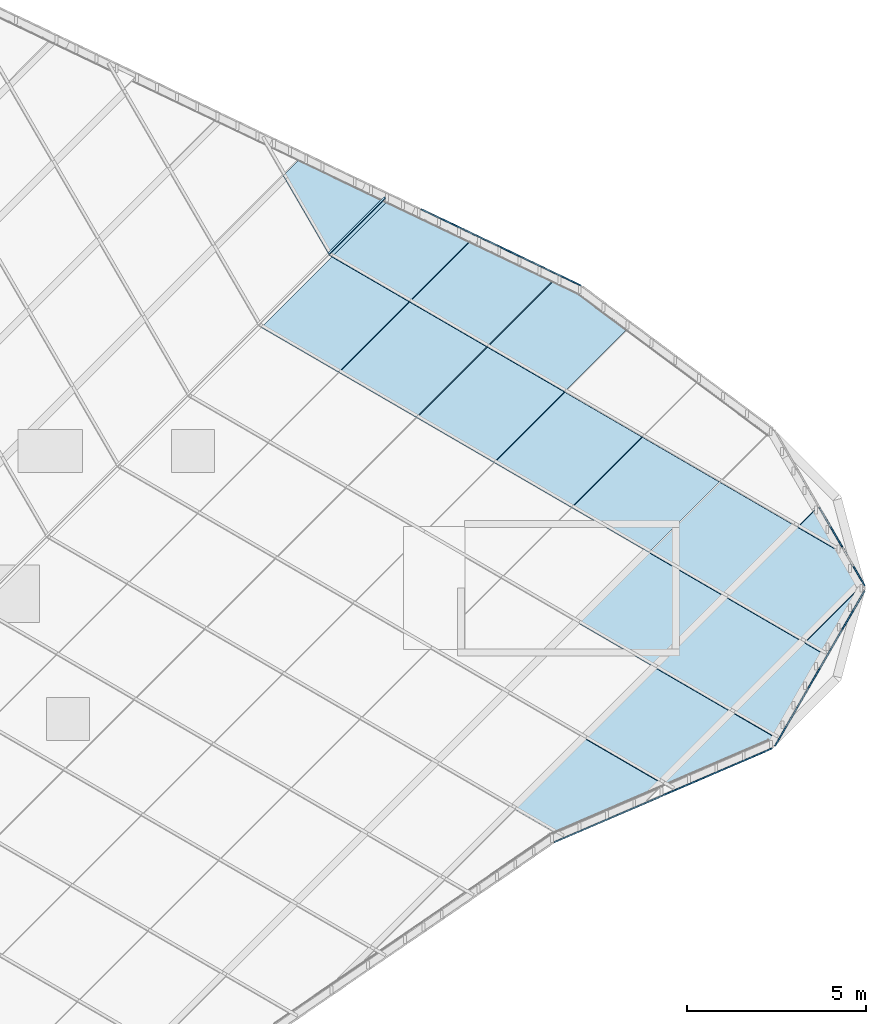
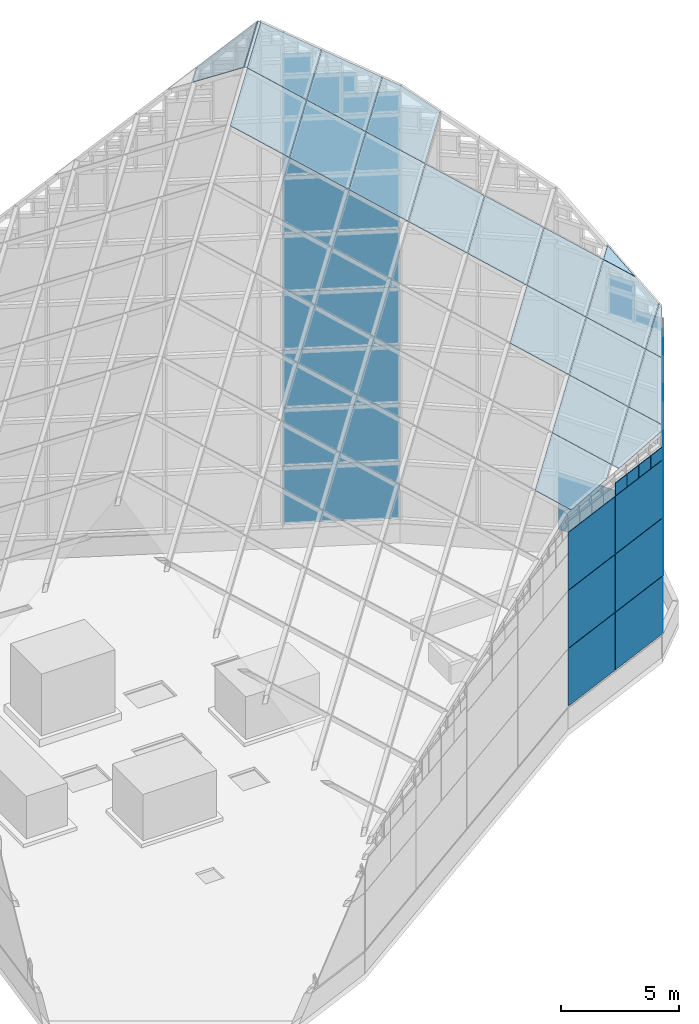
# One storey, part 19 of 29: 55 plates, 1 element without a shape of its own.
"""IFC4 building model written with IfcOpenShell, lengths in metres."""

from ifc_helpers import new_model, si_unit, direction, frame, origin, place, context, subcontext, project, spatial, polyline, outline, extrude, material, layer, layer_set, type_object, element, aggregate, save


model = new_model("IFC4")

# Units and contexts
model_context = context("Model", 3, precision=1e-05, world=origin(), true_north=direction((0.0, 1.0)))
body_context = subcontext(model_context, "Body", "Model", "MODEL_VIEW")
ifc_project = project(units=[si_unit("LENGTHUNIT", "METRE"), si_unit("AREAUNIT", "SQUARE_METRE"), si_unit("VOLUMEUNIT", "CUBIC_METRE"), si_unit("PLANEANGLEUNIT", "RADIAN"), si_unit("MASSUNIT", "GRAM", prefix="KILO")], contexts=[model_context])

# Site, building, storey
site_placement = place(None, origin())
site = spatial("IfcSite", under=ifc_project, at=site_placement, CompositionType="ELEMENT")
building_placement = place(site_placement, origin())
building = spatial("IfcBuilding", under=site, at=building_placement, Name="Tanit Gate Tower", CompositionType="ELEMENT")
storey_placement = place(building_placement, frame((0.0, 0.0, 445.300048828125)))
storey = spatial("IfcBuildingStorey", under=building, at=storey_placement, Name="ROOF", CompositionType="ELEMENT", Elevation=445.300048828125)

# Curtain wall, plates
ifc_material_1 = material(Name="Aluminium bronze anodised and glass", Category="aluminium")
curtain_wall_type = type_object("IfcCurtainWallType", Name="Curtain wall crown roof", PredefinedType="NOTDEFINED", material=ifc_material_1)
curtain_wall_placement = place(storey_placement, origin())
curtain_wall = element("IfcCurtainWall", 1, at=curtain_wall_placement, inside=storey, type_object=curtain_wall_type, Name="Crown lantern", PredefinedType="NOTDEFINED")
ifc_material_2 = material(Name="Glass tinted laminated safety", Category="glass")
ifc_layer = layer(ifc_material_2, 0.033935546875)
ifc_layer_set = layer_set([ifc_layer], Name="Glass panel 34 crown roof")
plate_type = type_object("IfcPlateType", Name="Glass panel 34 crown roof", PredefinedType="CURTAIN_PANEL", material=ifc_layer_set)
plate_1_placement = place(storey_placement, frame((16.35693359375, 8.480712890625, 1.21484375), z_axis=(0.431041064925, 0.902332311484, 0.0), x_axis=(-0.902332311484, 0.431041064925, 0.0)))
plate_1 = element("IfcPlate", 2, at=plate_1_placement, type_object=plate_type, Name="Lantern clerestory glass 3.1.1", PredefinedType="CURTAIN_PANEL", context=body_context, shape_type="SweptSolid", body=[
    extrude(outline(polyline([(0.0, 0.0), (4.961642982602361, 0.0), (4.961642982602361, 2.97021484375), (0.0, 2.97021484375), (0.0, 0.0)])), origin(), (0.0, 0.0, -1.0), 0.033935546875),
])
plate_2_placement = place(storey_placement, frame((16.35693359375, 8.480712890625, 4.21484375), z_axis=(0.431041064925, 0.902332311484, 0.0), x_axis=(-0.902332311484, 0.431041064925, 0.0)))
plate_2 = element("IfcPlate", 3, at=plate_2_placement, type_object=plate_type, Name="Lantern clerestory glass 3.2.1", PredefinedType="CURTAIN_PANEL", context=body_context, shape_type="SweptSolid", body=[
    extrude(outline(polyline([(0.0, 0.0), (4.961642982602361, 0.0), (4.961642982602361, 2.97021484375), (0.0, 2.97021484375), (0.0, 0.0)])), origin(), (0.0, 0.0, -1.0), 0.033935546875),
])
plate_3_placement = place(storey_placement, frame((16.35693359375, 8.480712890625, 7.21484375), z_axis=(0.431041064925, 0.902332311484, 0.0), x_axis=(-0.902332311484, 0.431041064925, 0.0)))
plate_3 = element("IfcPlate", 4, at=plate_3_placement, type_object=plate_type, Name="Lantern clerestory glass 3.3.1", PredefinedType="CURTAIN_PANEL", context=body_context, shape_type="SweptSolid", body=[
    extrude(outline(polyline([(0.0, 0.0), (4.961642982602361, 0.0), (4.961642982602361, 2.97021484375), (0.0, 2.97021484375), (0.0, 0.0)])), origin(), (0.0, 0.0, -1.0), 0.033935546875),
])
plate_4_placement = place(storey_placement, frame((16.35693359375, 8.480712890625, 10.21484375), z_axis=(0.431041064925, 0.902332311484, 0.0), x_axis=(-0.902332311484, 0.431041064925, 0.0)))
plate_4 = element("IfcPlate", 5, at=plate_4_placement, type_object=plate_type, Name="Lantern clerestory glass 3.4.1", PredefinedType="CURTAIN_PANEL", context=body_context, shape_type="SweptSolid", body=[
    extrude(outline(polyline([(0.0, 0.0), (4.961642982602361, 0.0), (4.961642982602361, 2.97021484375), (0.0, 2.97021484375), (0.0, 0.0)])), origin(), (0.0, 0.0, -1.0), 0.033935546875),
])
plate_5_placement = place(storey_placement, frame((16.35693359375, 8.480712890625, 13.21484375), z_axis=(0.431041064925, 0.902332311484, 0.0), x_axis=(-0.902332311484, 0.431041064925, 0.0)))
plate_5 = element("IfcPlate", 6, at=plate_5_placement, type_object=plate_type, Name="Lantern clerestory glass 3.5.1", PredefinedType="CURTAIN_PANEL", context=body_context, shape_type="SweptSolid", body=[
    extrude(outline(polyline([(0.0, 0.0), (4.961642982602361, 0.0), (4.961642982602361, 2.97021484375), (0.0, 2.97021484375), (0.0, 0.0)])), origin(), (0.0, 0.0, -1.0), 0.033935546875),
])
plate_6_placement = place(storey_placement, frame((16.35693359375, 8.480712890625, 16.21484375), z_axis=(0.431041064925, 0.902332311484, 0.0), x_axis=(-0.902332311484, 0.431041064925, 0.0)))
plate_6 = element("IfcPlate", 7, at=plate_6_placement, type_object=plate_type, Name="Lantern clerestory glass 3.6.1", PredefinedType="CURTAIN_PANEL", context=body_context, shape_type="SweptSolid", body=[
    extrude(outline(polyline([(0.0, 0.0), (4.961642982602361, 0.0), (4.961642982602361, 2.97021484375), (0.0, 2.97021484375), (0.0, 0.0)])), origin(), (0.0, 0.0, -1.0), 0.033935546875),
])
plate_7_placement = place(storey_placement, frame((16.35693359375, 8.480712890625, 19.21484375), z_axis=(0.431041064925, 0.902332311484, 0.0), x_axis=(-0.902332311484, 0.431041064925, 0.0)))
plate_7 = element("IfcPlate", 8, at=plate_7_placement, type_object=plate_type, Name="Lantern clerestory glass 3.7.1", PredefinedType="CURTAIN_PANEL", context=body_context, shape_type="SweptSolid", body=[
    extrude(outline(polyline([(0.0, 0.0), (4.961642982602361, 0.0), (4.961642982602361, 2.97021484375), (0.0, 2.97021484375), (0.0, 0.0)])), origin(), (0.0, 0.0, -1.0), 0.033935546875),
])
plate_8_placement = place(storey_placement, frame((16.35693359375, 8.480712890625, 22.21484375), z_axis=(0.430944770192, 0.902378304839, 0.0), x_axis=(-0.902378304839, 0.430944770192, 0.0)))
plate_8 = element("IfcPlate", 9, at=plate_8_placement, type_object=plate_type, Name="Lantern clerestory glass 3.8.1", PredefinedType="CURTAIN_PANEL", context=body_context, shape_type="SweptSolid", body=[
    extrude(outline(polyline([(0.0, 0.0), (1.2180269492915334, 0.0), (1.2180269492915334, 1.072021484375), (0.0, 1.072021484375), (0.0, 0.0)])), origin(), (0.0, 0.0, -1.0), 0.033935546875),
])
plate_9_placement = place(storey_placement, frame((15.23095703125, 9.0185546875, 22.21484375), z_axis=(0.431107964186, 0.90230035089, 0.0), x_axis=(-0.90230035089, 0.431107964186, 0.0)))
plate_9 = element("IfcPlate", 10, at=plate_9_placement, type_object=plate_type, Name="Lantern clerestory glass 3.8.3", PredefinedType="CURTAIN_PANEL", context=body_context, shape_type="SweptSolid", body=[
    extrude(outline(polyline([(0.0, 0.0), (1.2181321803390708, 0.0), (1.2181321803390708, 1.072021484375), (0.0, 1.072021484375), (0.0, 0.0)])), origin(), (0.0, 0.0, -1.0), 0.033935546875),
])
plate_10_placement = place(storey_placement, frame((14.66796875, 9.28759765625, 23.31689453125), z_axis=(0.431033803852, 0.902335780038, 0.0), x_axis=(-0.902335780038, 0.431033803852, 0.0)))
plate_10 = element("IfcPlate", 11, at=plate_10_placement, type_object=plate_type, Name="Lantern clerestory glass 3.8.5", PredefinedType="CURTAIN_PANEL", context=body_context, shape_type="SweptSolid", body=[
    extrude(outline(polyline([(0.0, 0.0), (0.5941610920908948, 0.0), (0.5941610920908948, 1.07177734375), (0.0, 1.07177734375), (0.0, 0.0)])), origin(), (0.0, 0.0, -1.0), 0.033935546875),
])
plate_11_placement = place(storey_placement, frame((14.10498046875, 9.556640625, 22.21484375), z_axis=(0.430982483687, 0.902360293206, 0.0), x_axis=(-0.902360293206, 0.430982483687, 0.0)))
plate_11 = element("IfcPlate", 12, at=plate_11_placement, type_object=plate_type, Name="Lantern clerestory glass 3.8.6", PredefinedType="CURTAIN_PANEL", context=body_context, shape_type="SweptSolid", body=[
    extrude(outline(polyline([(0.0, 0.0), (2.4658638827563077, 0.0), (2.4658638827563077, 2.1738281250000004), (0.0, 2.1738281250000004), (0.0, 0.0)])), origin(), (0.0, 0.0, -1.0), 0.033935546875),
])
plate_12_placement = place(storey_placement, frame((12.978759765625, 10.094482421875, 24.418701171875), z_axis=(0.431022728609, 0.902341070451, 0.0), x_axis=(-0.902341070451, 0.431022728609, 0.0)))
plate_12 = element("IfcPlate", 13, at=plate_12_placement, type_object=plate_type, Name="Lantern clerestory glass 3.8.9", PredefinedType="CURTAIN_PANEL", context=body_context, shape_type="SweptSolid", body=[
    extrude(outline(polyline([(0.0, 0.0), (1.2178066466330058, 0.0), (1.2178066466330058, 1.0717773437500002), (0.0, 1.0717773437500002), (0.0, 0.0)])), origin(), (0.0, 0.0, -1.0), 0.033935546875),
])
plate_13_placement = place(storey_placement, frame((15.6064453125, -7.1220703125, 1.21484375), z_axis=(0.395844386339, -0.918317603993, 0.0), x_axis=(0.918317603993, 0.395844386339, 0.0)))
plate_13 = element("IfcPlate", 14, at=plate_13_placement, type_object=plate_type, Name="Lantern clerestory glass 29.1.1", PredefinedType="CURTAIN_PANEL", context=body_context, shape_type="SweptSolid", body=[
    extrude(outline(polyline([(0.0, 0.0), (3.304595224521592, 0.0), (3.304595224521592, 2.97021484375), (0.0, 2.97021484375), (0.0, 0.0)])), origin(), (0.0, 0.0, -1.0), 0.033935546875),
])
plate_14_placement = place(storey_placement, frame((15.6064453125, -7.1220703125, 4.21484375), z_axis=(0.395844386339, -0.918317603993, 0.0), x_axis=(0.918317603993, 0.395844386339, 0.0)))
plate_14 = element("IfcPlate", 15, at=plate_14_placement, type_object=plate_type, Name="Lantern clerestory glass 29.2.1", PredefinedType="CURTAIN_PANEL", context=body_context, shape_type="SweptSolid", body=[
    extrude(outline(polyline([(0.0, 0.0), (3.304595224521592, 0.0), (3.304595224521592, 2.97021484375), (0.0, 2.97021484375), (0.0, 0.0)])), origin(), (0.0, 0.0, -1.0), 0.033935546875),
])
plate_15_placement = place(storey_placement, frame((15.6064453125, -7.1220703125, 7.21484375), z_axis=(0.395844386339, -0.918317603993, 0.0), x_axis=(0.918317603993, 0.395844386339, 0.0)))
plate_15 = element("IfcPlate", 16, at=plate_15_placement, type_object=plate_type, Name="Lantern clerestory glass 29.3.1", PredefinedType="CURTAIN_PANEL", context=body_context, shape_type="SweptSolid", body=[
    extrude(outline(polyline([(0.0, 0.0), (3.304595224521592, 0.0), (3.304595224521592, 2.97021484375), (0.0, 2.97021484375), (0.0, 0.0)])), origin(), (0.0, 0.0, -1.0), 0.033935546875),
])
plate_16_placement = place(storey_placement, frame((18.668701171875, -5.802001953125, 1.21484375), z_axis=(0.395844386339, -0.918317603993, 0.0), x_axis=(0.918317603993, 0.395844386339, 0.0)))
plate_16 = element("IfcPlate", 17, at=plate_16_placement, type_object=plate_type, Name="Lantern clerestory glass 30.1.1", PredefinedType="CURTAIN_PANEL", context=body_context, shape_type="SweptSolid", body=[
    extrude(outline(polyline([(0.0, 0.0), (3.304595224521592, 0.0), (3.304595224521592, 2.97021484375), (0.0, 2.97021484375), (0.0, 0.0)])), origin(), (0.0, 0.0, -1.0), 0.033935546875),
])
plate_17_placement = place(storey_placement, frame((18.668701171875, -5.802001953125, 4.21484375), z_axis=(0.395844386339, -0.918317603993, 0.0), x_axis=(0.918317603993, 0.395844386339, 0.0)))
plate_17 = element("IfcPlate", 18, at=plate_17_placement, type_object=plate_type, Name="Lantern clerestory glass 30.2.1", PredefinedType="CURTAIN_PANEL", context=body_context, shape_type="SweptSolid", body=[
    extrude(outline(polyline([(0.0, 0.0), (3.304595224521592, 0.0), (3.304595224521592, 2.97021484375), (0.0, 2.97021484375), (0.0, 0.0)])), origin(), (0.0, 0.0, -1.0), 0.033935546875),
])
plate_18_placement = place(storey_placement, frame((18.668701171875, -5.802001953125, 7.21484375), z_axis=(0.395844386339, -0.918317603993, 0.0), x_axis=(0.918317603993, 0.395844386339, 0.0)))
plate_18 = element("IfcPlate", 19, at=plate_18_placement, type_object=plate_type, Name="Lantern clerestory glass 30.3.1", PredefinedType="CURTAIN_PANEL", context=body_context, shape_type="SweptSolid", body=[
    extrude(outline(polyline([(0.0, 0.0), (3.304595224521592, 0.0), (3.304595224521592, 2.97021484375), (0.0, 2.97021484375), (0.0, 0.0)])), origin(), (0.0, 0.0, -1.0), 0.033935546875),
])
plate_19_placement = place(storey_placement, frame((18.668701171875, -5.802001953125, 10.21484375), z_axis=(0.395824930615, -0.918325990215, 0.0), x_axis=(0.918325990215, 0.395824930615, 0.0)))
plate_19 = element("IfcPlate", 20, at=plate_19_placement, type_object=plate_type, Name="Lantern clerestory glass 30.4.1", PredefinedType="CURTAIN_PANEL", context=body_context, shape_type="SweptSolid", body=[
    extrude(outline(polyline([(0.0, 0.0), (0.8036765998559787, 0.0), (0.8036765998559787, 0.649658203125), (0.0, 0.649658203125), (0.0, 0.0)])), origin(), (0.0, 0.0, -1.0), 0.033935546875),
])
plate_20_placement = place(storey_placement, frame((19.43408203125, -5.47216796875, 10.21484375), z_axis=(0.395824930615, -0.918325990215, 0.0), x_axis=(0.918325990215, 0.395824930615, 0.0)))
plate_20 = element("IfcPlate", 21, at=plate_20_placement, type_object=plate_type, Name="Lantern clerestory glass 30.4.2", PredefinedType="CURTAIN_PANEL", context=body_context, shape_type="SweptSolid", body=[
    extrude(outline(polyline([(0.0, 0.0), (0.8036765998559787, 0.0), (0.8036765998559787, 0.649658203125), (0.0, 0.649658203125), (0.0, 0.0)])), origin(), (0.0, 0.0, -1.0), 0.033935546875),
])
plate_21_placement = place(storey_placement, frame((20.19970703125, -5.14208984375, 10.21484375), z_axis=(0.395824930615, -0.918325990215, 0.0), x_axis=(0.918325990215, 0.395824930615, 0.0)))
plate_21 = element("IfcPlate", 22, at=plate_21_placement, type_object=plate_type, Name="Lantern clerestory glass 30.4.3", PredefinedType="CURTAIN_PANEL", context=body_context, shape_type="SweptSolid", body=[
    extrude(outline(polyline([(0.0, 0.0), (0.8036765998559787, 0.0), (0.8036765998559787, 0.649658203125), (0.0, 0.649658203125), (0.0, 0.0)])), origin(), (0.0, 0.0, -1.0), 0.033935546875),
])
plate_22_placement = place(storey_placement, frame((20.96533203125, -4.81201171875, 10.21484375), z_axis=(0.395824930615, -0.918325990215, 0.0), x_axis=(0.918325990215, 0.395824930615, 0.0)))
plate_22 = element("IfcPlate", 23, at=plate_22_placement, type_object=plate_type, Name="Lantern clerestory glass 30.4.4", PredefinedType="CURTAIN_PANEL", context=body_context, shape_type="SweptSolid", body=[
    extrude(outline(polyline([(0.0, 0.0), (0.8036765998559787, 0.0), (0.8036765998559787, 0.649658203125), (0.0, 0.649658203125), (0.0, 0.0)])), origin(), (0.0, 0.0, -1.0), 0.033935546875),
])
plate_23_placement = place(storey_placement, frame((21.78759765625, -4.4189453125, 1.21484375), z_axis=(0.865786279522, -0.50041394684, 0.0), x_axis=(0.50041394684, 0.865786279522, 0.0)))
plate_23 = element("IfcPlate", 24, at=plate_23_placement, type_object=plate_type, Name="Lantern clerestory glass 31.1.1", PredefinedType="CURTAIN_PANEL", context=body_context, shape_type="SweptSolid", body=[
    extrude(outline(polyline([(0.0, 0.0), (5.011476030664061, 0.0), (5.011476030664061, 2.97021484375), (0.0, 2.97021484375), (0.0, 0.0)])), origin(), (0.0, 0.0, -1.0), 0.033935546875),
])
plate_24_placement = place(storey_placement, frame((21.78759765625, -4.4189453125, 4.21484375), z_axis=(0.865786279522, -0.50041394684, 0.0), x_axis=(0.50041394684, 0.865786279522, 0.0)))
plate_24 = element("IfcPlate", 25, at=plate_24_placement, type_object=plate_type, Name="Lantern clerestory glass 31.2.1", PredefinedType="CURTAIN_PANEL", context=body_context, shape_type="SweptSolid", body=[
    extrude(outline(polyline([(0.0, 0.0), (5.011476030664061, 0.0), (5.011476030664061, 2.97021484375), (0.0, 2.97021484375), (0.0, 0.0)])), origin(), (0.0, 0.0, -1.0), 0.033935546875),
])
plate_25_placement = place(storey_placement, frame((21.78759765625, -4.4189453125, 7.21484375), z_axis=(0.865786279522, -0.50041394684, 0.0), x_axis=(0.50041394684, 0.865786279522, 0.0)))
plate_25 = element("IfcPlate", 26, at=plate_25_placement, type_object=plate_type, Name="Lantern clerestory glass 31.3.1", PredefinedType="CURTAIN_PANEL", context=body_context, shape_type="SweptSolid", body=[
    extrude(outline(polyline([(0.0, 0.0), (5.011476030664061, 0.0), (5.011476030664061, 2.97021484375), (0.0, 2.97021484375), (0.0, 0.0)])), origin(), (0.0, 0.0, -1.0), 0.033935546875),
])
plate_26_placement = place(storey_placement, frame((21.78759765625, -4.4189453125, 10.21484375), z_axis=(0.865765729186, -0.500449500116, 0.0), x_axis=(0.500449500116, 0.865765729186, 0.0)))
plate_26 = element("IfcPlate", 27, at=plate_26_placement, type_object=plate_type, Name="Lantern clerestory glass 31.4.1", PredefinedType="CURTAIN_PANEL", context=body_context, shape_type="SweptSolid", body=[
    extrude(outline(polyline([(0.0, 0.0), (1.2303392372394488, 0.0), (1.2303392372394488, 1.041259765625), (0.0, 1.041259765625), (0.0, 0.0)])), origin(), (0.0, 0.0, -1.0), 0.033935546875),
])
plate_27_placement = place(storey_placement, frame((22.418212890625, -3.32763671875, 10.21484375), z_axis=(0.865765729186, -0.500449500116, 0.0), x_axis=(0.500449500116, 0.865765729186, 0.0)))
plate_27 = element("IfcPlate", 28, at=plate_27_placement, type_object=plate_type, Name="Lantern clerestory glass 31.4.3", PredefinedType="CURTAIN_PANEL", context=body_context, shape_type="SweptSolid", body=[
    extrude(outline(polyline([(0.0, 0.0), (1.2303392372394488, 0.0), (1.2303392372394488, 1.041259765625), (0.0, 1.041259765625), (0.0, 0.0)])), origin(), (0.0, 0.0, -1.0), 0.033935546875),
])
plate_28_placement = place(storey_placement, frame((22.733642578125, -2.7822265625, 11.285888671875), z_axis=(0.865880732799, -0.50025049382, 0.0), x_axis=(0.50025049382, 0.865880732799, 0.0)))
plate_28 = element("IfcPlate", 29, at=plate_28_placement, type_object=plate_type, Name="Lantern clerestory glass 31.4.5", PredefinedType="CURTAIN_PANEL", context=body_context, shape_type="SweptSolid", body=[
    extrude(outline(polyline([(0.0, 0.0), (0.6002852020332168, 0.0), (0.6002852020332168, 1.0412597656250002), (0.0, 1.0412597656250002), (0.0, 0.0)])), origin(), (0.0, 0.0, -1.0), 0.033935546875),
])
plate_29_placement = place(storey_placement, frame((23.048828125, -2.236572265625, 10.21484375), z_axis=(0.865759382942, -0.500460478807, 0.0), x_axis=(0.500460478807, 0.865759382942, 0.0)))
plate_29 = element("IfcPlate", 30, at=plate_29_placement, type_object=plate_type, Name="Lantern clerestory glass 31.4.6", PredefinedType="CURTAIN_PANEL", context=body_context, shape_type="SweptSolid", body=[
    extrude(outline(polyline([(0.0, 0.0), (2.4908700767373104, 0.0), (2.4908700767373104, 2.1123046875000004), (0.0, 2.1123046875000004), (0.0, 0.0)])), origin(), (0.0, 0.0, -1.0), 0.033935546875),
])
plate_30_placement = place(storey_placement, frame((23.6796875, -1.145263671875, 12.357177734375), z_axis=(0.865765729186, -0.500449500116, 0.0), x_axis=(0.500449500116, 0.865765729186, 0.0)))
plate_30 = element("IfcPlate", 31, at=plate_30_placement, type_object=plate_type, Name="Lantern clerestory glass 31.4.9", PredefinedType="CURTAIN_PANEL", context=body_context, shape_type="SweptSolid", body=[
    extrude(outline(polyline([(0.0, 0.0), (1.2303392372394488, 0.0), (1.2303392372394488, 1.041015625), (0.0, 1.041015625), (0.0, 0.0)])), origin(), (0.0, 0.0, -1.0), 0.033935546875),
])
plate_31_placement = place(storey_placement, frame((24.295166015625, 0.080078125, 1.21484375), z_axis=(0.865434046351, 0.501022865163, 0.0), x_axis=(-0.501022865163, 0.865434046351, 0.0)))
plate_31 = element("IfcPlate", 32, at=plate_31_placement, type_object=plate_type, Name="Lantern clerestory glass 32.1.1", PredefinedType="CURTAIN_PANEL", context=body_context, shape_type="SweptSolid", body=[
    extrude(outline(polyline([(0.0, 0.0), (5.025363991730172, 0.0), (5.025363991730172, 2.9702148437500004), (0.0, 2.9702148437500004), (0.0, 0.0)])), origin(), (0.0, 0.0, -1.0), 0.033935546875),
])
plate_32_placement = place(storey_placement, frame((24.295166015625, 0.080078125, 13.21484375), z_axis=(0.865453377509, 0.500989472303, 0.0), x_axis=(-0.500989472303, 0.865453377509, 0.0)))
plate_32 = element("IfcPlate", 33, at=plate_32_placement, type_object=plate_type, Name="Lantern clerestory glass 32.5.1", PredefinedType="CURTAIN_PANEL", context=body_context, shape_type="SweptSolid", body=[
    extrude(outline(polyline([(0.0, 0.0), (1.2338863322986138, 0.0), (1.2338863322986138, 0.67138671875), (0.0, 0.67138671875), (0.0, 0.0)])), origin(), (0.0, 0.0, -1.0), 0.033935546875),
])
plate_33_placement = place(storey_placement, frame((23.662109375, 1.173828125, 13.21484375), z_axis=(0.865453377509, 0.500989472303, 0.0), x_axis=(-0.500989472303, 0.865453377509, 0.0)))
plate_33 = element("IfcPlate", 34, at=plate_33_placement, type_object=plate_type, Name="Lantern clerestory glass 32.5.3", PredefinedType="CURTAIN_PANEL", context=body_context, shape_type="SweptSolid", body=[
    extrude(outline(polyline([(0.0, 0.0), (1.2338863322986138, 0.0), (1.2338863322986138, 1.372802734375), (0.0, 1.372802734375), (0.0, 0.0)])), origin(), (0.0, 0.0, -1.0), 0.033935546875),
])
plate_34_placement = place(storey_placement, frame((23.662109375, 1.173828125, 14.61767578125), z_axis=(0.865453377509, 0.500989472303, 0.0), x_axis=(-0.500989472303, 0.865453377509, 0.0)))
plate_34 = element("IfcPlate", 35, at=plate_34_placement, type_object=plate_type, Name="Lantern clerestory glass 32.5.4", PredefinedType="CURTAIN_PANEL", context=body_context, shape_type="SweptSolid", body=[
    extrude(outline(polyline([(0.0, 0.0), (1.2338863322986138, 0.0), (1.2338863322986138, 0.671142578125), (0.0, 0.671142578125), (0.0, 0.0)])), origin(), (0.0, 0.0, -1.0), 0.033935546875),
])
plate_35_placement = place(storey_placement, frame((9.2685546875, 9.38232421875, 26.42822265625), z_axis=(-0.624511047914, 0.207417824298, 0.75296998426), x_axis=(0.65839997575, 0.658406273067, 0.364706253741)))
plate_35 = element("IfcPlate", 36, at=plate_35_placement, type_object=plate_type, Name="Lantern roof glass E13.1.1", PredefinedType="CURTAIN_PANEL", context=body_context, shape_type="SweptSolid", body=[
    extrude(outline(polyline([(0.0, 0.0), (2.3865094755800644, 5.551115123125783e-17), (0.7830799665127404, 2.9839952571063337), (-7.460242756285318e-05, 2.9840127106020553), (0.0, 0.0)])), origin(), (0.0, 0.0, -1.0), 0.033935546875),
])
plate_36_placement = place(storey_placement, frame((10.84228515625, 10.951416015625, 27.30126953125), z_axis=(-0.62448888185, 0.207403762964, 0.752992241364), x_axis=(-0.658416336279, -0.658389776098, -0.364706499601)))
plate_36 = element("IfcPlate", 37, at=plate_36_placement, type_object=plate_type, Name="Lantern roof glass E13.1.2", PredefinedType="CURTAIN_PANEL", context=body_context, shape_type="SweptSolid", body=[
    extrude(outline(polyline([(0.0, 0.0), (2.3876520121262432, -2.7755575615628914e-16), (2.3877211640279605, 0.05833368303983422), (-9.159427413201957e-05, 0.058436251617178386), (0.0, 0.0)])), origin(), (0.0, 0.0, -1.0), 0.033935546875),
])
plate_37_placement = place(storey_placement, frame((16.485595703125, -4.226806640625, 13.2783203125), z_axis=(0.207442706053, -0.62451189026, 0.752962431088), x_axis=(-0.658424134049, -0.658396194276, -0.364680834518)))
plate_37 = element("IfcPlate", 38, at=plate_37_placement, type_object=plate_type, Name="Lantern roof glass W11.7.1", PredefinedType="CURTAIN_PANEL", context=body_context, shape_type="SweptSolid", body=[
    extrude(outline(polyline([(0.0, 0.0), (2.9960583465170405, 0.0), (2.9959753879534143, 1.8336143709104509), (0.7712615229006546, 2.9718917793572013), (0.0001579564733118488, 2.9719916990993074), (0.0, 0.0)])), origin(), (0.0, 0.0, -1.0), 0.033935546875),
])
plate_38_placement = place(storey_placement, frame((18.638427734375, -5.472900390625, 11.65185546875), z_axis=(0.207467895005, -0.624491565552, 0.752972348162), x_axis=(0.658417167069, 0.658417167069, 0.364655547356)))
plate_38 = element("IfcPlate", 39, at=plate_38_placement, type_object=plate_type, Name="Lantern roof glass W12.7.1", PredefinedType="CURTAIN_PANEL", context=body_context, shape_type="SweptSolid", body=[
    extrude(outline(polyline([(0.0, 0.0), (2.9960583482065744, 1.1102230246251565e-16), (2.996055562997043, 2.971889131192225), (-2.7852095315639147e-06, 2.9718891311922246), (0.0, 0.0)])), origin(), (0.0, 0.0, -1.0), 0.033935546875),
])
plate_39_placement = place(storey_placement, frame((20.63134765625, -3.511962890625, 12.72900390625), z_axis=(0.207467925616, -0.624459884169, 0.752998614145), x_axis=(-0.658410848367, -0.658436187023, -0.364632612875)))
plate_39 = element("IfcPlate", 40, at=plate_39_placement, type_object=plate_type, Name="Lantern roof glass W12.8.1", PredefinedType="CURTAIN_PANEL", context=body_context, shape_type="SweptSolid", body=[
    extrude(outline(polyline([(0.0, 0.0), (2.9960583468168904, 3.3306690738754696e-16), (2.995901280448588, 0.3686873934444871), (0.3079784239647584, 1.7440984219395386), (8.086708306831447e-05, 1.6556057967892008), (0.0, 0.0)])), origin(), (0.0, 0.0, -1.0), 0.033935546875),
])
plate_40_placement = place(storey_placement, frame((18.443115234375, -2.2373046875, 14.38916015625), z_axis=(0.207467895005, -0.624491565552, 0.752972348162), x_axis=(0.658417167069, 0.658417167069, 0.364655547356)))
plate_40 = element("IfcPlate", 41, at=plate_40_placement, type_object=plate_type, Name="Lantern roof glass W13.6.1", PredefinedType="CURTAIN_PANEL", context=body_context, shape_type="SweptSolid", body=[
    extrude(outline(polyline([(0.0, 0.0), (2.9960583482065744, 1.1102230246251565e-16), (2.996055562997043, 2.971889131192225), (-2.7852095315639147e-06, 2.9718891311922246), (0.0, 0.0)])), origin(), (0.0, 0.0, -1.0), 0.033935546875),
])
plate_41_placement = place(storey_placement, frame((20.61376953125, -3.49755859375, 12.745849609375), z_axis=(0.207467295153, -0.624482419816, 0.75298009853), x_axis=(0.658372755719, 0.65844721454, 0.364681477719)))
plate_41 = element("IfcPlate", 42, at=plate_41_placement, type_object=plate_type, Name="Lantern roof glass W13.7.1", PredefinedType="CURTAIN_PANEL", context=body_context, shape_type="SweptSolid", body=[
    extrude(outline(polyline([(0.0, 0.0), (2.995897607356099, 1.1102230246251565e-16), (2.9960700411857406, 2.971889126083176), (1.169829357827723e-05, 2.972065770326376), (0.0, 0.0)])), origin(), (0.0, 0.0, -1.0), 0.033935546875),
])
plate_42_placement = place(storey_placement, frame((22.6064453125, -1.53662109375, 13.822998046875), z_axis=(0.207436395811, -0.624483762633, 0.752987497838), x_axis=(-0.658376599278, -0.658435643642, -0.364695430059)))
plate_42 = element("IfcPlate", 43, at=plate_42_placement, type_object=plate_type, Name="Lantern roof glass W13.8.1", PredefinedType="CURTAIN_PANEL", context=body_context, shape_type="SweptSolid", body=[
    extrude(outline(polyline([(0.0, 0.0), (2.9958976063725533, 0.0), (2.99613042477271, 1.654292911330568), (9.101937084918243e-05, 0.7930086530361453), (0.0, 0.0)])), origin(), (0.0, 0.0, -1.0), 0.033935546875),
])
plate_43_placement = place(storey_placement, frame((9.56591796875, 6.039794921875, 23.69970703125), z_axis=(0.207454654324, -0.624510358389, 0.752960409759), x_axis=(0.658447214815, 0.658386893508, 0.364655952591)))
plate_43 = element("IfcPlate", 44, at=plate_43_placement, type_object=plate_type, Name="Lantern roof glass W14.1.2", PredefinedType="CURTAIN_PANEL", context=body_context, shape_type="SweptSolid", body=[
    extrude(outline(polyline([(0.0, 0.0), (2.995897606493208, -2.220446049250313e-16), (2.995785199303256, 2.984012708498316), (-0.0002731461776250832, 2.983910136449957), (0.0, 0.0)])), origin(), (0.0, 0.0, -1.0), 0.033935546875),
])
plate_44_placement = place(storey_placement, frame((11.736572265625, 4.779296875, 22.056396484375), z_axis=(0.207467295153, -0.624482419816, 0.75298009853), x_axis=(0.658372755719, 0.65844721454, 0.364681477719)))
plate_44 = element("IfcPlate", 45, at=plate_44_placement, type_object=plate_type, Name="Lantern roof glass W14.2.1", PredefinedType="CURTAIN_PANEL", context=body_context, shape_type="SweptSolid", body=[
    extrude(outline(polyline([(0.0, 0.0), (2.995897607356099, 1.1102230246251565e-16), (2.9960700411857406, 2.971889126083176), (1.169829357827723e-05, 2.972065770326376), (0.0, 0.0)])), origin(), (0.0, 0.0, -1.0), 0.033935546875),
])
plate_45_placement = place(storey_placement, frame((13.906982421875, 3.51904296875, 20.4130859375), z_axis=(0.207467295153, -0.624482419816, 0.75298009853), x_axis=(0.658415413377, 0.658422445825, 0.364649182449)))
plate_45 = element("IfcPlate", 46, at=plate_45_placement, type_object=plate_type, Name="Lantern roof glass W14.3.1", PredefinedType="CURTAIN_PANEL", context=body_context, shape_type="SweptSolid", body=[
    extrude(outline(polyline([(0.0, 0.0), (2.996058348099536, -2.220446049250313e-16), (2.9958948167253965, 2.972065765850422), (-2.7854236079871697e-06, 2.971889131084316), (0.0, 0.0)])), origin(), (0.0, 0.0, -1.0), 0.033935546875),
])
plate_46_placement = place(storey_placement, frame((16.077392578125, 2.2587890625, 18.769775390625), z_axis=(0.207432583406, -0.624497541638, 0.75297712039), x_axis=(0.658447215485, 0.658386892856, 0.364655952559)))
plate_46 = element("IfcPlate", 47, at=plate_46_placement, type_object=plate_type, Name="Lantern roof glass W14.4.1", PredefinedType="CURTAIN_PANEL", context=body_context, shape_type="SweptSolid", body=[
    extrude(outline(polyline([(0.0, 0.0), (2.9958976064932474, -2.220446049250313e-16), (2.995953812997948, 2.971991705077094), (-0.0001045324828129468, 2.9718891283773994), (0.0, 0.0)])), origin(), (0.0, 0.0, -1.0), 0.033935546875),
])
plate_47_placement = place(storey_placement, frame((18.248046875, 0.998291015625, 17.12646484375), z_axis=(0.207467295153, -0.624482419816, 0.75298009853), x_axis=(0.658372755719, 0.65844721454, 0.364681477719)))
plate_47 = element("IfcPlate", 48, at=plate_47_placement, type_object=plate_type, Name="Lantern roof glass W14.5.1", PredefinedType="CURTAIN_PANEL", context=body_context, shape_type="SweptSolid", body=[
    extrude(outline(polyline([(0.0, 0.0), (2.995897607356099, 1.1102230246251565e-16), (2.9960700411857406, 2.971889126083176), (1.169829357827723e-05, 2.972065770326376), (0.0, 0.0)])), origin(), (0.0, 0.0, -1.0), 0.033935546875),
])
plate_48_placement = place(storey_placement, frame((20.41845703125, -0.261962890625, 15.483154296875), z_axis=(0.207467295153, -0.624482419816, 0.75298009853), x_axis=(0.658415413377, 0.658422445825, 0.364649182449)))
plate_48 = element("IfcPlate", 49, at=plate_48_placement, type_object=plate_type, Name="Lantern roof glass W14.6.1", PredefinedType="CURTAIN_PANEL", context=body_context, shape_type="SweptSolid", body=[
    extrude(outline(polyline([(0.0, 0.0), (2.996058348099536, -2.220446049250313e-16), (2.9958948167253965, 2.972065765850422), (-2.7854236079871697e-06, 2.971889131084316), (0.0, 0.0)])), origin(), (0.0, 0.0, -1.0), 0.033935546875),
])
plate_49_placement = place(storey_placement, frame((22.411376953125, 1.69873046875, 16.560302734375), z_axis=(0.207478078255, -0.624488560085, 0.752972034917), x_axis=(-0.658440157943, -0.65840813546, -0.364630340987)))
plate_49 = element("IfcPlate", 50, at=plate_49_placement, type_object=plate_type, Name="Lantern roof glass W14.7.1", PredefinedType="CURTAIN_PANEL", context=body_context, shape_type="SweptSolid", body=[
    extrude(outline(polyline([(0.0, 0.0), (2.995897602167066, 0.0), (2.9959538169067037, 2.9719917011285295), (0.6330641179219696, 2.971814529418354), (-6.52639359954299e-05, 1.6012107406824871), (0.0, 0.0)])), origin(), (0.0, 0.0, -1.0), 0.033935546875),
])
plate_50_placement = place(storey_placement, frame((24.15625, 0.012939453125, 14.681396484375), z_axis=(0.207482537988, -0.624498622348, 0.752962460629), x_axis=(-0.658402991496, -0.658426098356, -0.36466501586)))
plate_50 = element("IfcPlate", 51, at=plate_50_placement, type_object=plate_type, Name="Lantern roof glass W14.8.1", PredefinedType="CURTAIN_PANEL", context=body_context, shape_type="SweptSolid", body=[
    extrude(outline(polyline([(0.0, 0.0), (2.3497851923983886, 0.0), (2.349577573523255, 0.7917698485416796), (0.061834918026457304, 0.13390157057168212), (0.0, 0.0)])), origin(), (0.0, 0.0, -1.0), 0.033935546875),
])
plate_51_placement = place(storey_placement, frame((9.37939453125, 9.270263671875, 26.430419921875), z_axis=(0.207702032226, -0.62466625392, 0.752762869051), x_axis=(0.658390609934, 0.658413805209, 0.364709563708)))
plate_51 = element("IfcPlate", 52, at=plate_51_placement, type_object=plate_type, Name="Lantern roof glass W15.1.1", PredefinedType="CURTAIN_PANEL", context=body_context, shape_type="SweptSolid", body=[
    extrude(outline(polyline([(0.0, 0.0), (2.3876520124161185, -1.1102230246251565e-16), (2.38773696576448, 0.13234511874521482), (1.3253874185003428e-05, 0.13265553854581885), (0.0, 0.0)])), origin(), (0.0, 0.0, -1.0), 0.033935546875),
])
plate_52_placement = place(storey_placement, frame((11.541259765625, 8.014892578125, 24.793701171875), z_axis=(0.207446815281, -0.624495412433, 0.752974965507), x_axis=(0.658415613922, 0.65841027787, 0.364670790356)))
plate_52 = element("IfcPlate", 53, at=plate_52_placement, type_object=plate_type, Name="Lantern roof glass W15.1.2", PredefinedType="CURTAIN_PANEL", context=body_context, shape_type="SweptSolid", body=[
    extrude(outline(polyline([(0.0, 0.0), (2.616371323534076, -1.1102230246251565e-16), (2.387982884942474, 2.984036061404508), (9.385835953001909e-06, 2.9840127115273445), (0.0, 0.0)])), origin(), (0.0, 0.0, -1.0), 0.033935546875),
])
plate_53_placement = place(storey_placement, frame((13.711669921875, 6.754638671875, 23.150390625), z_axis=(0.207455065325, -0.624507342504, 0.752962797906), x_axis=(0.658411467122, 0.658409227965, 0.364680172882)))
plate_53 = element("IfcPlate", 54, at=plate_53_placement, type_object=plate_type, Name="Lantern roof glass W15.2.1", PredefinedType="CURTAIN_PANEL", context=body_context, shape_type="SweptSolid", body=[
    extrude(outline(polyline([(0.0, 0.0), (2.845911682058458, -1.1102230246251565e-16), (2.618285517038658, 2.9718998296130494), (3.964688525048832e-05, 2.9718891309192017), (0.0, 0.0)])), origin(), (0.0, 0.0, -1.0), 0.033935546875),
])
plate_54_placement = place(storey_placement, frame((15.88232421875, 5.494140625, 21.507080078125), z_axis=(0.207431791961, -0.624482360049, 0.752989929329), x_axis=(0.658423066559, 0.658408046414, 0.36466136324)))
plate_54 = element("IfcPlate", 55, at=plate_54_placement, type_object=plate_type, Name="Lantern roof glass W15.3.1", PredefinedType="CURTAIN_PANEL", context=body_context, shape_type="SweptSolid", body=[
    extrude(outline(polyline([(0.0, 0.0), (2.710904816090322, 1.1102230246251565e-16), (2.9203622101259645, 2.026310244095245), (2.8479295818265062, 2.97207719641791), (-1.739325255545321e-05, 2.972168338477147), (0.0, 0.0)])), origin(), (0.0, 0.0, -1.0), 0.033935546875),
])
plate_55_placement = place(storey_placement, frame((22.8984375, 2.185791015625, 16.830078125), z_axis=(0.20746160553, -0.624536833411, 0.752936535137), x_axis=(-0.658402177194, -0.658402177194, -0.364709673758)))
plate_55 = element("IfcPlate", 56, at=plate_55_placement, type_object=plate_type, Name="Lantern roof glass W15.7.1", PredefinedType="CURTAIN_PANEL", context=body_context, shape_type="SweptSolid", body=[
    extrude(outline(polyline([(0.0, 0.0), (0.7356825611732016, 2.7755575615628914e-17), (0.7357142398038191, 1.5924050505964185), (0.0, 0.0)])), origin(), (0.0, 0.0, -1.0), 0.033935546875),
])
aggregate(curtain_wall, [plate_1, plate_2, plate_3, plate_4, plate_5, plate_6, plate_7, plate_8, plate_9, plate_10, plate_11, plate_12, plate_13, plate_14, plate_15, plate_16, plate_17, plate_18, plate_19, plate_20, plate_21, plate_22, plate_23, plate_24, plate_25, plate_26, plate_27, plate_28, plate_29, plate_30, plate_31, plate_32, plate_33, plate_34, plate_35, plate_36, plate_37, plate_38, plate_39, plate_40, plate_41, plate_42, plate_43, plate_44, plate_45, plate_46, plate_47, plate_48, plate_49, plate_50, plate_51, plate_52, plate_53, plate_54, plate_55])

save(model, "model.ifc")
